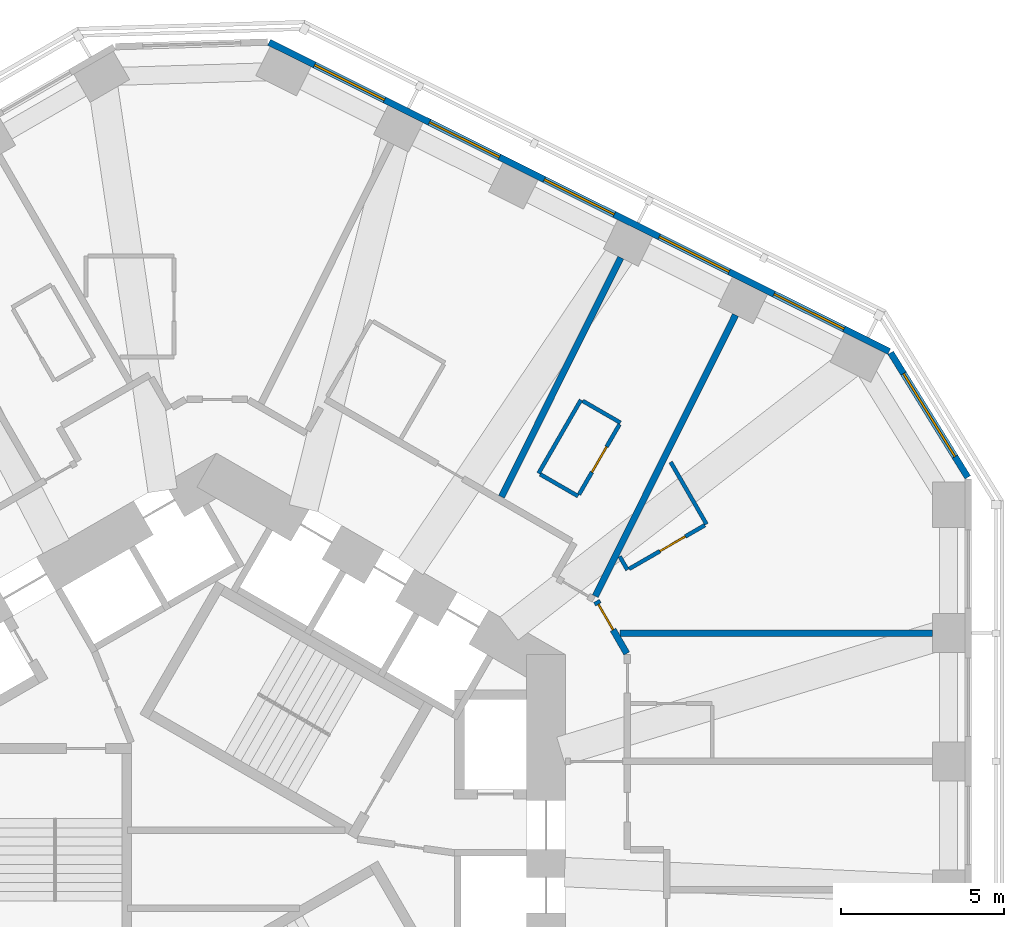
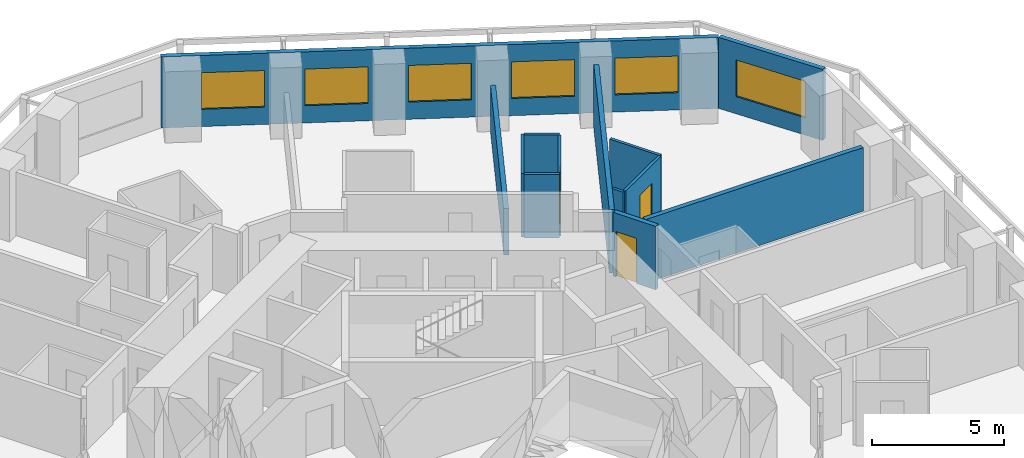
# One storey, part 9 of 12: 13 walls, 6 windows, 3 doors, 9 openings.
"""IFC4 building model written with IfcOpenShell, lengths in metres."""

import ifcopenshell
import ifcopenshell.guid

model = None  # the IFC model being written
_history = None  # IfcOwnerHistory: only IFC2X3 demands one
_inside = {}  # id of a spatial element -> (the spatial element, [elements in it])
_under = {}  # id of a project, library or spatial element -> (it, [spatial elements below it])
_declared = {}  # id of a project -> (the project, [libraries it declares])
_typed = {}  # id of a type object -> (the type object, [elements of that type])
_made_of = {}  # id of a material, layer set ... -> (it, [elements and type objects made of it])


def new_model(schema):
    """Start an empty IFC model of exactly this schema.

    Asked for "IFC4X3", IfcOpenShell would pick the latest addendum, in which some entities
    have other attributes; the version numbers below select the first issue.
    IFC2X3 requires an IfcOwnerHistory on every rooted entity: one is made here for all.
    """
    global model, _history
    if schema == "IFC4X3":
        model = ifcopenshell.file(schema_version=(4, 3, 0, 0))
    else:
        model = ifcopenshell.file(schema=schema)
    _inside.clear()
    _under.clear()
    _declared.clear()
    _typed.clear()
    _made_of.clear()
    _history = None
    if model.schema == "IFC2X3":
        org = make("IfcOrganization", Name="unknown")
        user = make(
            "IfcPersonAndOrganization",
            ThePerson=make("IfcPerson", FamilyName="unknown"),
            TheOrganization=org,
        )
        app = make(
            "IfcApplication",
            ApplicationDeveloper=org,
            Version="unknown",
            ApplicationFullName="unknown",
            ApplicationIdentifier="unknown",
        )
        _history = make(
            "IfcOwnerHistory",
            OwningUser=user,
            OwningApplication=app,
            ChangeAction="ADDED",
            CreationDate=0,
        )
    return model


def make(cls, **values):
    """One entity of the class cls with the attributes given. An attribute that is None is left unset."""
    return model.create_entity(
        cls, **{name: value for name, value in values.items() if value is not None}
    )


def rooted(cls, **values):
    """An entity with a GlobalId (a new one), such as an element, a storey or a relation."""
    return make(cls, GlobalId=ifcopenshell.guid.new(), OwnerHistory=_history, **values)


def si_unit(unit_type, name, prefix=None):
    """IfcSIUnit, for example si_unit("LENGTHUNIT", "METRE", prefix="MILLI")."""
    return make("IfcSIUnit", UnitType=unit_type, Prefix=prefix, Name=name)


def assignment(units):
    """IfcUnitAssignment: the units of a project."""
    return None if units is None else make("IfcUnitAssignment", Units=units)


def point(xyz):
    """IfcCartesianPoint."""
    return None if xyz is None else make("IfcCartesianPoint", Coordinates=xyz)


def direction(xyz):
    """IfcDirection."""
    return None if xyz is None else make("IfcDirection", DirectionRatios=xyz)


def frame(location, z_axis=None, x_axis=None):
    """IfcAxis2Placement3D, a coordinate frame: its origin and axes. An axis left out is left unset."""
    return make(
        "IfcAxis2Placement3D",
        Location=point(location),
        Axis=direction(z_axis),
        RefDirection=direction(x_axis),
    )


def frame_2d(location, x_axis=None):
    """IfcAxis2Placement2D, a coordinate frame in the plane: its origin and x axis."""
    return make(
        "IfcAxis2Placement2D", Location=point(location), RefDirection=direction(x_axis)
    )


def origin():
    """The frame at (0, 0, 0) with its axes left unset."""
    return frame((0.0, 0.0, 0.0))


def place(relative_to, where):
    """IfcLocalPlacement: puts the frame where relative to a parent placement (None: the world)."""
    return make(
        "IfcLocalPlacement", PlacementRelTo=relative_to, RelativePlacement=where
    )


def context(
    kind, dimensions, precision=None, world=None, true_north=None, identifier=None
):
    """IfcGeometricRepresentationContext, for example the 3D "Model" context."""
    return make(
        "IfcGeometricRepresentationContext",
        ContextIdentifier=identifier,
        ContextType=kind,
        CoordinateSpaceDimension=dimensions,
        Precision=precision,
        WorldCoordinateSystem=world,
        TrueNorth=true_north,
    )


def subcontext(parent, identifier, kind, view, scale=None):
    """IfcGeometricRepresentationSubContext, for example "Body" below "Model"."""
    return make(
        "IfcGeometricRepresentationSubContext",
        ContextIdentifier=identifier,
        ContextType=kind,
        ParentContext=parent,
        TargetScale=scale,
        TargetView=view,
    )


def project(units=None, contexts=None):
    """IfcProject with its units and contexts."""
    return rooted(
        "IfcProject",
        Name="project",
        RepresentationContexts=contexts,
        UnitsInContext=assignment(units),
    )


def spatial(cls, under=None, at=None, **own):
    """A site, building, storey or space (cls), placed at a placement, below another one or the project."""
    s = rooted(cls, ObjectPlacement=at, **own)
    if under is not None:
        _under.setdefault(under.id(), (under, []))[1].append(s)
    return s


def profile(cls, at=None, kind="AREA", **sizes):
    """A parametric profile (cls). Its sizes go by their IFC names, for example OverallWidth=200.0."""
    return make(cls, ProfileType=kind, Position=at, **sizes)


def rectangle(**sizes):
    """IfcRectangleProfileDef."""
    return profile("IfcRectangleProfileDef", **sizes)


def extrude(swept, where, along, depth):
    """IfcExtrudedAreaSolid: the profile swept, set in the frame where, extruded along a direction by depth."""
    return make(
        "IfcExtrudedAreaSolid",
        SweptArea=swept,
        Position=where,
        ExtrudedDirection=direction(along),
        Depth=depth,
    )


def shape(context_of_items, identifier, shape_type, items):
    """IfcShapeRepresentation: the items that make up one representation, for example the "Body"."""
    return make(
        "IfcShapeRepresentation",
        ContextOfItems=context_of_items,
        RepresentationIdentifier=identifier,
        RepresentationType=shape_type,
        Items=items,
    )


def material(Name=None, Category=None):
    """IfcMaterial."""
    return make("IfcMaterial", Name=Name, Category=Category)


def layer(
    of_material, thickness, ventilated=None, Name=None, Category=None, Priority=None
):
    """IfcMaterialLayer: one layer of a wall or slab, of a material (None: an air gap)."""
    return make(
        "IfcMaterialLayer",
        Material=of_material,
        LayerThickness=thickness,
        IsVentilated=ventilated,
        Name=Name,
        Category=Category,
        Priority=Priority,
    )


def layer_set(layers, Name=None):
    """IfcMaterialLayerSet."""
    return make("IfcMaterialLayerSet", MaterialLayers=layers, LayerSetName=Name)


def made_of(thing, what):
    """Note that an element or type object is made of a material, layer set ...; save() writes the relation."""
    if what is not None:
        _made_of.setdefault(what.id(), (what, []))[1].append(thing)
    return thing


def type_object(cls, material=None, **own):
    """A type object (cls), such as IfcWallType, which elements share."""
    return made_of(rooted(cls, **own), material)


def element(
    cls,
    number,
    at=None,
    inside=None,
    cuts=None,
    type_object=None,
    material=None,
    context=None,
    identifier="Body",
    shape_type=None,
    held_by="IfcProductDefinitionShape",
    body=None,
    shapes=None,
    **own,
):
    """One element of the class cls, such as IfcWall. Its Tag is "e" and its number.

    at: its placement. inside: the storey or other place that contains it. cuts: it is an
    opening in that element (IfcRelVoidsElement). A single representation is given by context,
    identifier, shape_type and body (its items); several are given by shapes. held_by: the class
    of the entity that holds the representations. save() writes the other relations.
    """
    e = rooted(cls, Tag="e%d" % number, ObjectPlacement=at, **own)
    if body is not None:
        shapes = [shape(context, identifier, shape_type, body)]
    if shapes is not None:
        e.Representation = make(held_by, Representations=shapes)
    if inside is not None:
        _inside.setdefault(inside.id(), (inside, []))[1].append(e)
    if cuts is not None:
        rooted(
            "IfcRelVoidsElement", RelatingBuildingElement=cuts, RelatedOpeningElement=e
        )
    if type_object is not None:
        _typed.setdefault(type_object.id(), (type_object, []))[1].append(e)
    return made_of(e, material)


def fill(opening, filler):
    """IfcRelFillsElement: the door or window that sits in an opening."""
    return rooted(
        "IfcRelFillsElement",
        RelatingOpeningElement=opening,
        RelatedBuildingElement=filler,
    )


def aggregate(whole, parts):
    """IfcRelAggregates: a whole, such as a stair, and the parts it consists of."""
    return rooted("IfcRelAggregates", RelatingObject=whole, RelatedObjects=parts)


def save(model, path):
    """Write the relations noted so far, then the file.

    IfcRelAggregates (storeys below a building ...), IfcRelContainedInSpatialStructure (elements
    in a storey), IfcRelDefinesByType, IfcRelAssociatesMaterial and IfcRelDeclares: one each for
    every whole, place, type object, material and project.
    """
    for whole, parts in _under.values():
        aggregate(whole, parts)
    for where, things in _inside.values():
        rooted(
            "IfcRelContainedInSpatialStructure",
            RelatedElements=things,
            RelatingStructure=where,
        )
    for kind, things in _typed.values():
        rooted("IfcRelDefinesByType", RelatedObjects=things, RelatingType=kind)
    for what, things in _made_of.values():
        rooted("IfcRelAssociatesMaterial", RelatedObjects=things, RelatingMaterial=what)
    for by, libraries in _declared.values():
        rooted("IfcRelDeclares", RelatingContext=by, RelatedDefinitions=libraries)
    model.write(path)


model = new_model("IFC4")

# Units and contexts
model_context = context("Model", 3, precision=1e-05, world=origin(), true_north=direction((0.0, 1.0)))
body_context = subcontext(model_context, "Body", "Model", "MODEL_VIEW")
ifc_project = project(units=[si_unit("LENGTHUNIT", "METRE"), si_unit("AREAUNIT", "SQUARE_METRE"), si_unit("VOLUMEUNIT", "CUBIC_METRE"), si_unit("PLANEANGLEUNIT", "RADIAN"), si_unit("MASSUNIT", "GRAM", prefix="KILO")], contexts=[model_context])

# Site, building, storey
site_placement = place(None, origin())
site = spatial("IfcSite", under=ifc_project, at=site_placement, CompositionType="ELEMENT")
building_placement = place(site_placement, origin())
building = spatial("IfcBuilding", under=site, at=building_placement, Name="Vanh Sen Convention Tower", CompositionType="ELEMENT")
storey_placement = place(building_placement, frame((0.0, 0.0, 73.699951171875)))
storey = spatial("IfcBuildingStorey", under=building, at=storey_placement, Name="L16", CompositionType="ELEMENT", Elevation=73.699951171875)

# Walls
ifc_material_1 = material(Name="Moisture-resistant gypsum board on steel studs", Category="steel")
ifc_layer_1 = layer(ifc_material_1, 0.1201171875)
ifc_layer_set_1 = layer_set([ifc_layer_1], Name="Moisture-resistant gypsum board on steel studs")
wall_type_1 = type_object("IfcWallType", Name="Bathroom partition 120", PredefinedType="PARTITIONING", material=ifc_layer_set_1)
wall_1_placement = place(storey_placement, frame((9.87451171875, 11.736083984375, 0.0), z_axis=(0.0, 0.0, 1.0), x_axis=(0.499936506574, 0.866062058628, 0.0)))
element("IfcWall", 1, at=wall_1_placement, inside=storey, type_object=wall_type_1, Name="Bathroom partition 120", PredefinedType="PARTITIONING", context=body_context, shape_type="SweptSolid", body=[
    extrude(rectangle(XDim=2.599853515625, YDim=0.1201171875, at=frame_2d((1.2998046875, 0.0))), origin(), (0.0, 0.0, 1.0), 2.949951171875),
])
for number, where, z_axis, x_axis, name in (
    (2, (11.0869140625, 11.0361328125, 0.0), (0.0, 0.0, 1.0), (-0.866036909293, 0.499980071345, 0.0), "Bathroom partition 120"),
    (3, (11.226318359375, 13.957763671875, 0.0), (0.0, 0.0, 1.0), (0.866036909293, -0.499980071345, 0.0), "Bathroom partition 120"),
):
    element("IfcWall", number, at=place(storey_placement, frame(where, z_axis=z_axis, x_axis=x_axis)), inside=storey, type_object=wall_type_1, Name=name, PredefinedType="PARTITIONING", context=body_context, shape_type="SweptSolid", body=[
        extrude(rectangle(XDim=1.33984375, YDim=0.1201171875, at=frame_2d((0.669921875, 0.0))), origin(), (0.0, 0.0, 1.0), 2.949951171875),
    ])

# Wall, opening, door
wall_2_placement = place(storey_placement, frame((12.356689453125, 13.23583984375, 0.0), z_axis=(0.0, 0.0, 1.0), x_axis=(-0.50000366821, -0.866023285932, 0.0)))
wall_2 = element("IfcWall", 4, at=wall_2_placement, inside=storey, type_object=wall_type_1, Name="Bathroom partition 120", PredefinedType="PARTITIONING", context=body_context, shape_type="SweptSolid", body=[
    extrude(rectangle(XDim=2.47998046875, YDim=0.1201171875, at=frame_2d((1.239990234375, 0.0))), origin(), (0.0, 0.0, 1.0), 2.949951171875),
])
opening_1_placement = place(wall_2_placement, frame((0.7900390625, 0.0, 0.0)))
opening_1 = element("IfcOpeningElement", 5, at=opening_1_placement, cuts=wall_2, Name="Opening D16109", PredefinedType="OPENING", context=body_context, shape_type="SweptSolid", body=[
    extrude(rectangle(XDim=0.89990234375, YDim=2.10009765625, at=frame_2d((0.449951171875, 1.050048828125))), frame((0.0, 0.070068359375, 0.0), z_axis=(0.0, -1.0, 0.0), x_axis=(1.0, 0.0, 0.0)), (0.0, 0.0, 1.0), 0.14013671875),
])
ifc_material_2 = material(Name="Laminate door in steel frame", Category="steel")
door_type_1 = type_object("IfcDoorType", Name="En-suite door 900", OperationType="SINGLE_SWING_LEFT", PredefinedType="DOOR", material=ifc_material_2)
door_1_placement = place(opening_1_placement, origin())
door_1 = element("IfcDoor", 6, at=door_1_placement, inside=storey, type_object=door_type_1, Name="En-suite door D16109", OperationType="SINGLE_SWING_LEFT", OverallHeight=2.10009765625, OverallWidth=0.89990234375, PredefinedType="DOOR", context=body_context, shape_type="SweptSolid", body=[
    extrude(rectangle(XDim=0.89990234375, YDim=2.10009765625, at=frame_2d((0.449951171875, 1.050048828125))), frame((0.0, 0.02490234375, 0.0), z_axis=(0.0, -1.0, 0.0), x_axis=(1.0, 0.0, 0.0)), (0.0, 0.0, 1.0), 0.050048828125),
])
fill(opening_1, door_1)

# Walls
wall_3_placement = place(storey_placement, frame((12.600830078125, 8.776123046875, 0.0), z_axis=(0.0, 0.0, 1.0), x_axis=(-0.500166486798, 0.865929261247, 0.0)))
element("IfcWall", 7, at=wall_3_placement, inside=storey, type_object=wall_type_1, Name="Bathroom partition 120", PredefinedType="PARTITIONING", context=body_context, shape_type="SweptSolid", body=[
    extrude(rectangle(XDim=0.475830078125, YDim=0.1201171875, at=frame_2d((0.23779296875, 0.0))), origin(), (0.0, 0.0, 1.0), 2.949951171875),
])
wall_4_placement = place(storey_placement, frame((13.92578125, 12.081298828125, 0.0), z_axis=(0.0, 0.0, 1.0), x_axis=(0.499994660107, -0.866028486751, 0.0)))
element("IfcWall", 8, at=wall_4_placement, inside=storey, type_object=wall_type_1, Name="Bathroom partition 120", PredefinedType="PARTITIONING", context=body_context, shape_type="SweptSolid", body=[
    extrude(rectangle(XDim=2.19970703125, YDim=0.1201171875, at=frame_2d((1.099853515625, 0.0))), origin(), (0.0, 0.0, 1.0), 2.949951171875),
])

# Wall, opening, door
wall_5_placement = place(storey_placement, frame((14.9736328125, 10.146240234375, 0.0), z_axis=(0.0, 0.0, 1.0), x_axis=(-0.86599746015, -0.500048396672, 0.0)))
wall_5 = element("IfcWall", 9, at=wall_5_placement, inside=storey, type_object=wall_type_1, Name="Bathroom partition 120", PredefinedType="PARTITIONING", context=body_context, shape_type="SweptSolid", body=[
    extrude(rectangle(XDim=2.679931640625, YDim=0.1201171875, at=frame_2d((1.33984375, 0.0))), origin(), (0.0, 0.0, 1.0), 2.949951171875),
])
opening_2_placement = place(wall_5_placement, frame((0.68994140625, 0.0, 0.0)))
opening_2 = element("IfcOpeningElement", 10, at=opening_2_placement, cuts=wall_5, Name="Opening D16107", PredefinedType="OPENING", context=body_context, shape_type="SweptSolid", body=[
    extrude(rectangle(XDim=0.89990234375, YDim=2.10009765625, at=frame_2d((0.449951171875, 1.050048828125))), frame((0.0, 0.070068359375, 0.0), z_axis=(0.0, -1.0, 0.0), x_axis=(1.0, 0.0, 0.0)), (0.0, 0.0, 1.0), 0.14013671875),
])
door_2_placement = place(opening_2_placement, origin())
door_2 = element("IfcDoor", 11, at=door_2_placement, inside=storey, type_object=door_type_1, Name="En-suite door D16107", OperationType="SINGLE_SWING_LEFT", OverallHeight=2.10009765625, OverallWidth=0.89990234375, PredefinedType="DOOR", context=body_context, shape_type="SweptSolid", body=[
    extrude(rectangle(XDim=0.89990234375, YDim=2.10009765625, at=frame_2d((0.449951171875, 1.050048828125))), frame((0.0, 0.02490234375, 0.0), z_axis=(0.0, -1.0, 0.0), x_axis=(1.0, 0.0, 0.0)), (0.0, 0.0, 1.0), 0.050048828125),
])
fill(opening_2, door_2)

ifc_material_3 = material(Name="Gypsum board on steel studs with mineral wool", Category="steel")
ifc_layer_2 = layer(ifc_material_3, 0.199951171875)
ifc_layer_set_2 = layer_set([ifc_layer_2], Name="Gypsum board on steel studs with mineral wool")
wall_type_2 = type_object("IfcWallType", Name="Corridor partition wall 200", PredefinedType="PARTITIONING", material=ifc_layer_set_2)
wall_6_placement = place(storey_placement, frame((12.580078125, 6.212158203125, 0.0), z_axis=(0.0, 0.0, 1.0), x_axis=(-0.500063286585, 0.865988862174, 0.0)))
wall_6 = element("IfcWall", 12, at=wall_6_placement, inside=storey, type_object=wall_type_2, Name="Corridor partition wall 200", PredefinedType="PARTITIONING", context=body_context, shape_type="SweptSolid", body=[
    extrude(rectangle(XDim=1.860107421875, YDim=0.199951171875, at=frame_2d((0.93017578125, 0.0))), origin(), (0.0, 0.0, 1.0), 2.949951171875),
])
opening_3_placement = place(wall_6_placement, frame((0.841796875, 0.0, 0.0)))
opening_3 = element("IfcOpeningElement", 13, at=opening_3_placement, cuts=wall_6, Name="Opening D16106", PredefinedType="OPENING", context=body_context, shape_type="SweptSolid", body=[
    extrude(rectangle(XDim=0.89990234375, YDim=2.10009765625, at=frame_2d((0.449951171875, 1.050048828125))), frame((0.0, 0.10986328125, 0.0), z_axis=(0.0, -1.0, 0.0), x_axis=(1.0, 0.0, 0.0)), (0.0, 0.0, 1.0), 0.219970703125),
])
ifc_material_4 = material(Name="Timber fire door in steel frame", Category="steel")
door_type_2 = type_object("IfcDoorType", Name="Guest room door 900", OperationType="SINGLE_SWING_LEFT", PredefinedType="DOOR", material=ifc_material_4)
door_3_placement = place(opening_3_placement, origin())
door_3 = element("IfcDoor", 14, at=door_3_placement, inside=storey, type_object=door_type_2, Name="Hotel guest room door D16106", OperationType="SINGLE_SWING_LEFT", OverallHeight=2.10009765625, OverallWidth=0.89990234375, PredefinedType="DOOR", context=body_context, shape_type="SweptSolid", body=[
    extrude(rectangle(XDim=0.89990234375, YDim=2.10009765625, at=frame_2d((0.449951171875, 1.050048828125))), frame((0.0, 0.02490234375, 0.0), z_axis=(0.0, -1.0, 0.0), x_axis=(1.0, 0.0, 0.0)), (0.0, 0.0, 1.0), 0.050048828125),
])
fill(opening_3, door_3)

# Wall, opening, window
ifc_material_5 = material(Name="Insulated lightweight infill wall")
ifc_layer_3 = layer(ifc_material_5, 0.199951171875)
ifc_layer_set_3 = layer_set([ifc_layer_3], Name="Insulated lightweight infill wall")
wall_type_3 = type_object("IfcWallType", Name="External wall 200", PredefinedType="STANDARD", material=ifc_layer_set_3)
wall_7_placement = place(storey_placement, frame((23.034912109375, 11.612060546875, 0.0), z_axis=(0.0, 0.0, 1.0), x_axis=(-0.526160091227, 0.850385535155, 0.0)))
wall_7 = element("IfcWall", 15, at=wall_7_placement, inside=storey, type_object=wall_type_3, Name="External wall CH1 L16", PredefinedType="STANDARD", context=body_context, shape_type="SweptSolid", body=[
    extrude(rectangle(XDim=4.493896484375, YDim=0.199951171875, at=frame_2d((2.2470703125, 0.0))), origin(), (0.0, 0.0, 1.0), 3.300048828125),
])
opening_4_placement = place(wall_7_placement, frame((0.746826171875, 0.0, 0.800048828125)))
opening_4 = element("IfcOpeningElement", 16, at=opening_4_placement, cuts=wall_7, Name="Opening WH2-CH11", PredefinedType="OPENING", context=body_context, shape_type="SweptSolid", body=[
    extrude(rectangle(XDim=3.0, YDim=1.699951171875, at=frame_2d((1.5, 0.85009765625))), frame((0.0, 0.10986328125, 0.0), z_axis=(0.0, -1.0, 0.0), x_axis=(1.0, 0.0, 0.0)), (0.0, 0.0, 1.0), 0.219970703125),
])
ifc_material_6 = material(Name="Aluminium frame with clear low-emissivity glass", Category="aluminium")
window_type_1 = type_object("IfcWindowType", Name="Hotel window 3000 x 1700", PartitioningType="SINGLE_PANEL", PredefinedType="WINDOW", material=ifc_material_6)
window_1_placement = place(opening_4_placement, origin())
window_1 = element("IfcWindow", 17, at=window_1_placement, inside=storey, type_object=window_type_1, Name="Window WH2-CH11", OverallHeight=1.699951171875, OverallWidth=3.0, PartitioningType="SINGLE_PANEL", PredefinedType="WINDOW", context=body_context, shape_type="SweptSolid", body=[
    extrude(rectangle(XDim=3.0, YDim=1.699951171875, at=frame_2d((1.5, 0.85009765625))), frame((0.0, 0.030029296875, 0.0), z_axis=(0.0, -1.0, 0.0), x_axis=(1.0, 0.0, 0.0)), (0.0, 0.0, 1.0), 0.06005859375),
])
fill(opening_4, window_1)

# Wall, openings, windows
wall_8_placement = place(storey_placement, frame((20.6298828125, 15.470458984375, 0.0), z_axis=(0.0, 0.0, 1.0), x_axis=(-0.894934518609, 0.446197498203, 0.0)))
wall_8 = element("IfcWall", 18, at=wall_8_placement, inside=storey, type_object=wall_type_3, Name="External wall NE L16", PredefinedType="STANDARD", context=body_context, shape_type="SweptSolid", body=[
    extrude(rectangle(XDim=21.24609375, YDim=0.199951171875, at=frame_2d((10.623046875, 0.0))), origin(), (0.0, 0.0, 1.0), 3.300048828125),
])
opening_5_placement = place(wall_8_placement, frame((1.552978515625, 0.0, 0.800048828125)))
opening_5 = element("IfcOpeningElement", 19, at=opening_5_placement, cuts=wall_8, Name="Opening WH1-NE1", PredefinedType="OPENING", context=body_context, shape_type="SweptSolid", body=[
    extrude(rectangle(XDim=2.39990234375, YDim=1.699951171875, at=frame_2d((1.199951171875, 0.85009765625))), frame((0.0, 0.10986328125, 0.0), z_axis=(0.0, -1.0, 0.0), x_axis=(1.0, 0.0, 0.0)), (0.0, 0.0, 1.0), 0.219970703125),
])
opening_6_placement = place(wall_8_placement, frame((5.48779296875, 0.0, 0.800048828125)))
opening_6 = element("IfcOpeningElement", 20, at=opening_6_placement, cuts=wall_8, Name="Opening WH1-NE2", PredefinedType="OPENING", context=body_context, shape_type="SweptSolid", body=[
    extrude(rectangle(XDim=2.39990234375, YDim=1.699951171875, at=frame_2d((1.199951171875, 0.85009765625))), frame((0.0, 0.10986328125, 0.0), z_axis=(0.0, -1.0, 0.0), x_axis=(1.0, 0.0, 0.0)), (0.0, 0.0, 1.0), 0.219970703125),
])
opening_7_placement = place(wall_8_placement, frame((9.42236328125, 0.0, 0.800048828125)))
opening_7 = element("IfcOpeningElement", 21, at=opening_7_placement, cuts=wall_8, Name="Opening WH1-NE3", PredefinedType="OPENING", context=body_context, shape_type="SweptSolid", body=[
    extrude(rectangle(XDim=2.39990234375, YDim=1.699951171875, at=frame_2d((1.199951171875, 0.85009765625))), frame((0.0, 0.10986328125, 0.0), z_axis=(0.0, -1.0, 0.0), x_axis=(1.0, 0.0, 0.0)), (0.0, 0.0, 1.0), 0.219970703125),
])
opening_8_placement = place(wall_8_placement, frame((13.35693359375, 0.0, 0.800048828125)))
opening_8 = element("IfcOpeningElement", 22, at=opening_8_placement, cuts=wall_8, Name="Opening WH1-NE4", PredefinedType="OPENING", context=body_context, shape_type="SweptSolid", body=[
    extrude(rectangle(XDim=2.39990234375, YDim=1.699951171875, at=frame_2d((1.199951171875, 0.85009765625))), frame((0.0, 0.10986328125, 0.0), z_axis=(0.0, -1.0, 0.0), x_axis=(1.0, 0.0, 0.0)), (0.0, 0.0, 1.0), 0.219970703125),
])
opening_9_placement = place(wall_8_placement, frame((17.29150390625, 0.0, 0.800048828125)))
opening_9 = element("IfcOpeningElement", 23, at=opening_9_placement, cuts=wall_8, Name="Opening WH1-NE5", PredefinedType="OPENING", context=body_context, shape_type="SweptSolid", body=[
    extrude(rectangle(XDim=2.39990234375, YDim=1.699951171875, at=frame_2d((1.199951171875, 0.85009765625))), frame((0.0, 0.10986328125, 0.0), z_axis=(0.0, -1.0, 0.0), x_axis=(1.0, 0.0, 0.0)), (0.0, 0.0, 1.0), 0.219970703125),
])
window_type_2 = type_object("IfcWindowType", Name="Hotel window 2400 x 1700", PartitioningType="SINGLE_PANEL", PredefinedType="WINDOW", material=ifc_material_6)
window_2_placement = place(opening_5_placement, origin())
window_2 = element("IfcWindow", 24, at=window_2_placement, inside=storey, type_object=window_type_2, Name="Window WH1-NE1", OverallHeight=1.699951171875, OverallWidth=2.39990234375, PartitioningType="SINGLE_PANEL", PredefinedType="WINDOW", context=body_context, shape_type="SweptSolid", body=[
    extrude(rectangle(XDim=2.39990234375, YDim=1.699951171875, at=frame_2d((1.199951171875, 0.85009765625))), frame((0.0, 0.030029296875, 0.0), z_axis=(0.0, -1.0, 0.0), x_axis=(1.0, 0.0, 0.0)), (0.0, 0.0, 1.0), 0.06005859375),
])
fill(opening_5, window_2)
window_3_placement = place(opening_6_placement, origin())
window_3 = element("IfcWindow", 25, at=window_3_placement, inside=storey, type_object=window_type_2, Name="Window WH1-NE2", OverallHeight=1.699951171875, OverallWidth=2.39990234375, PartitioningType="SINGLE_PANEL", PredefinedType="WINDOW", context=body_context, shape_type="SweptSolid", body=[
    extrude(rectangle(XDim=2.39990234375, YDim=1.699951171875, at=frame_2d((1.199951171875, 0.85009765625))), frame((0.0, 0.030029296875, 0.0), z_axis=(0.0, -1.0, 0.0), x_axis=(1.0, 0.0, 0.0)), (0.0, 0.0, 1.0), 0.06005859375),
])
fill(opening_6, window_3)
window_4_placement = place(opening_7_placement, origin())
window_4 = element("IfcWindow", 26, at=window_4_placement, inside=storey, type_object=window_type_2, Name="Window WH1-NE3", OverallHeight=1.699951171875, OverallWidth=2.39990234375, PartitioningType="SINGLE_PANEL", PredefinedType="WINDOW", context=body_context, shape_type="SweptSolid", body=[
    extrude(rectangle(XDim=2.39990234375, YDim=1.699951171875, at=frame_2d((1.199951171875, 0.85009765625))), frame((0.0, 0.030029296875, 0.0), z_axis=(0.0, -1.0, 0.0), x_axis=(1.0, 0.0, 0.0)), (0.0, 0.0, 1.0), 0.06005859375),
])
fill(opening_7, window_4)
window_5_placement = place(opening_8_placement, origin())
window_5 = element("IfcWindow", 27, at=window_5_placement, inside=storey, type_object=window_type_2, Name="Window WH1-NE4", OverallHeight=1.699951171875, OverallWidth=2.39990234375, PartitioningType="SINGLE_PANEL", PredefinedType="WINDOW", context=body_context, shape_type="SweptSolid", body=[
    extrude(rectangle(XDim=2.39990234375, YDim=1.699951171875, at=frame_2d((1.199951171875, 0.85009765625))), frame((0.0, 0.030029296875, 0.0), z_axis=(0.0, -1.0, 0.0), x_axis=(1.0, 0.0, 0.0)), (0.0, 0.0, 1.0), 0.06005859375),
])
fill(opening_8, window_5)
window_6_placement = place(opening_9_placement, origin())
window_6 = element("IfcWindow", 28, at=window_6_placement, inside=storey, type_object=window_type_2, Name="Window WH1-NE5", OverallHeight=1.699951171875, OverallWidth=2.39990234375, PartitioningType="SINGLE_PANEL", PredefinedType="WINDOW", context=body_context, shape_type="SweptSolid", body=[
    extrude(rectangle(XDim=2.39990234375, YDim=1.699951171875, at=frame_2d((1.199951171875, 0.85009765625))), frame((0.0, 0.030029296875, 0.0), z_axis=(0.0, -1.0, 0.0), x_axis=(1.0, 0.0, 0.0)), (0.0, 0.0, 1.0), 0.06005859375),
])
fill(opening_9, window_6)

# Walls
ifc_layer_4 = layer(ifc_material_3, 0.199951171875)
ifc_layer_set_4 = layer_set([ifc_layer_4], Name="Gypsum board on steel studs with mineral wool")
wall_type_4 = type_object("IfcWallType", Name="Hotel party wall 200", PredefinedType="PARTITIONING", material=ifc_layer_set_4)
wall_9_placement = place(storey_placement, frame((12.393310546875, 18.347900390625, 0.0), z_axis=(0.0, 0.0, 1.0), x_axis=(-0.446176022699, -0.894945225569, 0.0)))
element("IfcWall", 29, at=wall_9_placement, inside=storey, type_object=wall_type_4, Name="Hotel party wall 200", PredefinedType="PARTITIONING", context=body_context, shape_type="SweptSolid", body=[
    extrude(rectangle(XDim=8.19091796875, YDim=0.199951171875, at=frame_2d((4.095458984375, 0.0))), origin(), (0.0, 0.0, 1.0), 2.150146484375),
])
wall_10_placement = place(storey_placement, frame((15.91455078125, 16.59228515625, 0.0), z_axis=(0.0, 0.0, 1.0), x_axis=(-0.446199736347, -0.894933402709, 0.0)))
element("IfcWall", 30, at=wall_10_placement, inside=storey, type_object=wall_type_4, Name="Hotel party wall 200", PredefinedType="PARTITIONING", context=body_context, shape_type="SweptSolid", body=[
    extrude(rectangle(XDim=9.634765625, YDim=0.199951171875, at=frame_2d((4.8173828125, 0.0))), origin(), (0.0, 0.0, 1.0), 2.949951171875),
])
wall_11_placement = place(storey_placement, frame((21.949951171875, 6.839111328125, 0.0), z_axis=(0.0, 0.0, 1.0), x_axis=(-1.0, 0.0, 0.0)))
element("IfcWall", 31, at=wall_11_placement, inside=storey, type_object=wall_type_4, Name="Hotel party wall 200", PredefinedType="PARTITIONING", context=body_context, shape_type="SweptSolid", body=[
    extrude(rectangle(XDim=9.57177734375, YDim=0.199951171875, at=frame_2d((4.785888671875, 0.0))), origin(), (0.0, 0.0, 1.0), 2.949951171875),
])

save(model, "model.ifc")
